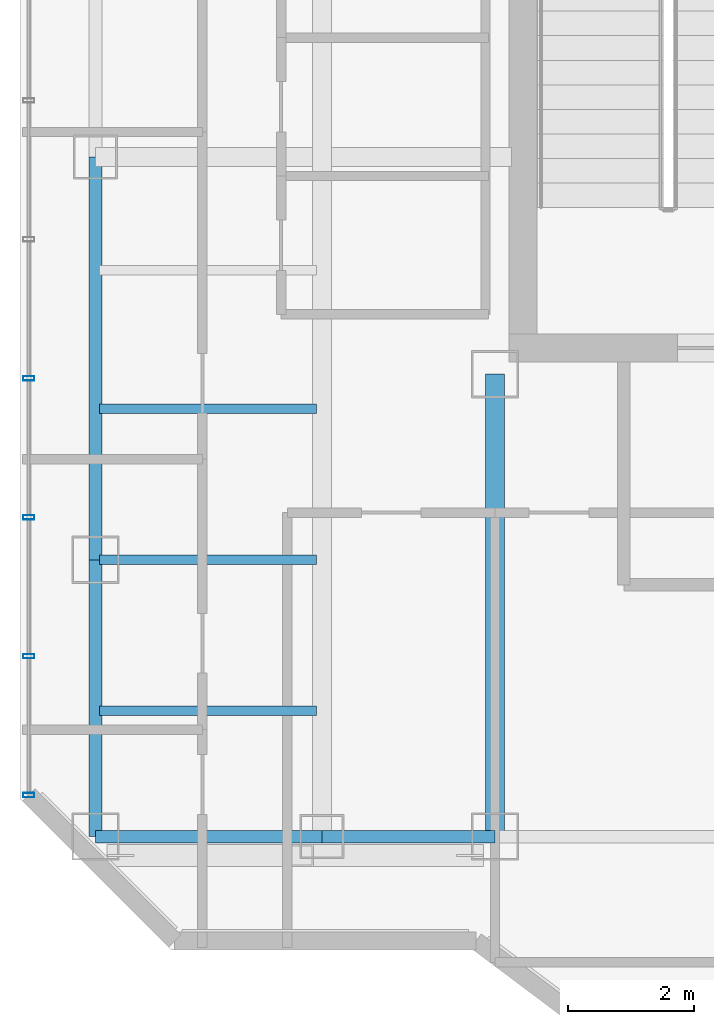
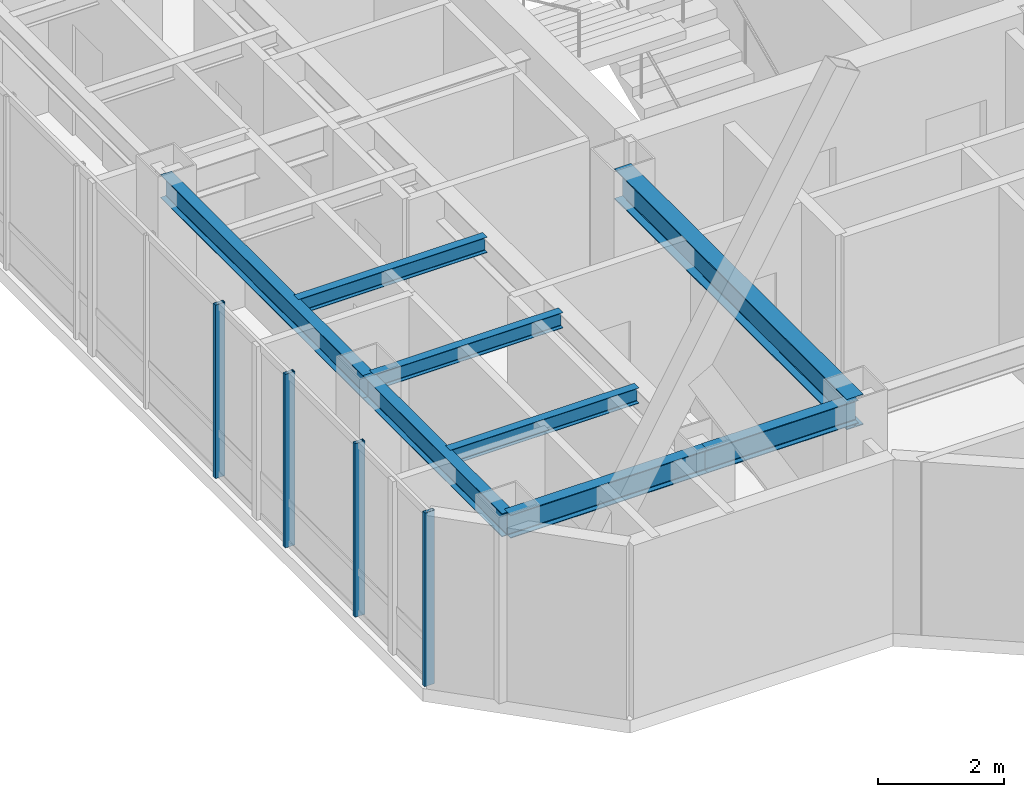
# One storey, part 4 of 24: 8 beams, 4 members, 1 element without a shape of its own.
"""IFC4 building model written with IfcOpenShell, lengths in metres."""

from ifc_helpers import new_model, si_unit, direction, frame, origin, origin_2d, place, context, subcontext, project, spatial, hollow_rectangle, i_section, extrude, material, layer, layer_set, material_profile, profile_set, type_object, element, aggregate, save


model = new_model("IFC4")

# Units and contexts
model_context = context("Model", 3, precision=1e-05, world=origin(), true_north=direction((0.0, 1.0)))
body_context = subcontext(model_context, "Body", "Model", "MODEL_VIEW")
ifc_project = project(units=[si_unit("LENGTHUNIT", "METRE"), si_unit("AREAUNIT", "SQUARE_METRE"), si_unit("VOLUMEUNIT", "CUBIC_METRE"), si_unit("PLANEANGLEUNIT", "RADIAN"), si_unit("MASSUNIT", "GRAM", prefix="KILO")], contexts=[model_context])

# Site, building, storey
site_placement = place(None, origin())
site = spatial("IfcSite", under=ifc_project, at=site_placement, CompositionType="ELEMENT")
building_placement = place(site_placement, origin())
building = spatial("IfcBuilding", under=site, at=building_placement, Name="Hatsunagi Terrace Concourse", CompositionType="ELEMENT")
storey_placement = place(building_placement, frame((0.0, 0.0, 213.14990234375)))
storey = spatial("IfcBuildingStorey", under=building, at=storey_placement, Name="L56", CompositionType="ELEMENT", Elevation=213.14990234375)

# Curtain wall, members
ifc_material_1 = material(Name="Anodised Aluminium Alloy 6063-T5", Category="aluminium")
ifc_layer = layer(ifc_material_1, 0.199951171875)
ifc_layer_set = layer_set([ifc_layer], Name="OfficeZone2_CW04")
curtain_wall_type = type_object("IfcCurtainWallType", Name="OfficeZone2_CW04", PredefinedType="NOTDEFINED", material=ifc_layer_set)
curtain_wall_placement = place(storey_placement, origin())
curtain_wall = element("IfcCurtainWall", 1, at=curtain_wall_placement, inside=storey, type_object=curtain_wall_type, Name="Unitised Curtain Wall CW-04 CW-L56-08", PredefinedType="NOTDEFINED")
ifc_material_2 = material(Name="Anodised Aluminium Alloy 6063-T5", Category="aluminium")
ifc_material_profile_1 = material_profile(ifc_material_2, hollow_rectangle(XDim=0.070068359375, YDim=0.179931640625, WallThickness=0.00390625, at=origin_2d()), Name="ALU-MUL-180x70x4")
ifc_profile_set_1 = profile_set([ifc_material_profile_1], Name="Anodised Aluminium Alloy 6063-T5")
member_type = type_object("IfcMemberType", Name="CurtainWallMullion_180x70", PredefinedType="MULLION", material=ifc_profile_set_1)
member_1_placement = place(storey_placement, frame((18.139892578125, 25.85791015625, 0.0), z_axis=(0.0, 0.0, 1.0), x_axis=(0.0, 1.0, 0.0)))
member_1 = element("IfcMember", 2, at=member_1_placement, type_object=member_type, Name="Curtain Wall Mullion MUL-02", PredefinedType="MULLION", context=body_context, shape_type="SweptSolid", body=[
    extrude(hollow_rectangle(XDim=0.070068359375, YDim=0.179931640625, WallThickness=0.00390625, at=origin_2d()), origin(), (0.0, 0.0, 1.0), 3.35009765625),
])
member_2_placement = place(storey_placement, frame((18.139892578125, 28.06591796875, 0.0), z_axis=(0.0, 0.0, 1.0), x_axis=(0.0, 1.0, 0.0)))
member_2 = element("IfcMember", 3, at=member_2_placement, type_object=member_type, Name="Curtain Wall Mullion MUL-02", PredefinedType="MULLION", context=body_context, shape_type="SweptSolid", body=[
    extrude(hollow_rectangle(XDim=0.070068359375, YDim=0.179931640625, WallThickness=0.00390625, at=origin_2d()), origin(), (0.0, 0.0, 1.0), 3.35009765625),
])
member_3_placement = place(storey_placement, frame((18.139892578125, 30.27490234375, 0.0), z_axis=(0.0, 0.0, 1.0), x_axis=(0.0, 1.0, 0.0)))
member_3 = element("IfcMember", 4, at=member_3_placement, type_object=member_type, Name="Curtain Wall Mullion MUL-02", PredefinedType="MULLION", context=body_context, shape_type="SweptSolid", body=[
    extrude(hollow_rectangle(XDim=0.070068359375, YDim=0.179931640625, WallThickness=0.00390625, at=origin_2d()), origin(), (0.0, 0.0, 1.0), 3.35009765625),
])
member_4_placement = place(storey_placement, frame((18.139892578125, 32.48291015625, 0.0), z_axis=(0.0, 0.0, 1.0), x_axis=(0.0, 1.0, 0.0)))
member_4 = element("IfcMember", 5, at=member_4_placement, type_object=member_type, Name="Curtain Wall Mullion MUL-02", PredefinedType="MULLION", context=body_context, shape_type="SweptSolid", body=[
    extrude(hollow_rectangle(XDim=0.070068359375, YDim=0.179931640625, WallThickness=0.00390625, at=origin_2d()), origin(), (0.0, 0.0, 1.0), 3.35009765625),
])
aggregate(curtain_wall, [member_1, member_2, member_3, member_4])

# Beams
ifc_material_3 = material(Name="Steel SN490B", Category="steel")
ifc_material_profile_2 = material_profile(ifc_material_3, i_section(OverallWidth=0.300048828125, OverallDepth=0.587890625, WebThickness=0.011962890625, FlangeThickness=0.02001953125, FilletRadius=0.01806640625, at=origin_2d()), Name="H-588x300x12x20")
ifc_profile_set_2 = profile_set([ifc_material_profile_2], Name="Steel SN490B")
beam_type_1 = type_object("IfcBeamType", Name="OfficeHighGirder_H_588x300", PredefinedType="BEAM", material=ifc_profile_set_2)
beam_1_placement = place(storey_placement, frame((25.550048828125, 25.199951171875, 3.05615234375), z_axis=(0.0, 1.0, 0.0), x_axis=(-1.0, 0.0, 0.0)))
element("IfcBeam", 6, at=beam_1_placement, inside=storey, type_object=beam_type_1, Name="Beam G-06 BM-L56-K1CA", PredefinedType="BEAM", context=body_context, shape_type="SweptSolid", body=[
    extrude(i_section(OverallWidth=0.300048828125, OverallDepth=0.587890625, WebThickness=0.011962890625, FlangeThickness=0.02001953125, FilletRadius=0.01806640625, at=origin_2d()), origin(), (0.0, 0.0, 1.0), 7.35009765625),
])
ifc_material_4 = material(Name="Steel SN490B", Category="steel")
ifc_material_profile_3 = material_profile(ifc_material_4, i_section(OverallWidth=0.14990234375, OverallDepth=0.300048828125, WebThickness=0.006591796875, FlangeThickness=0.009033203125, FilletRadius=0.010986328125, at=origin_2d()), Name="H-300x150x6.5x9")
ifc_profile_set_3 = profile_set([ifc_material_profile_3], Name="Steel SN490B")
beam_type_2 = type_object("IfcBeamType", Name="OfficeJoist_H_300x150", PredefinedType="JOIST", material=ifc_profile_set_3)
for number, where, z_axis, x_axis, name in (
    (7, (19.264892578125, 27.199951171875, 3.2001953125), (1.0, 0.0, 0.0), (0.0, 1.0, 0.0), "Beam J-03 J-L56-W-19-272"),
    (8, (19.264892578125, 29.60009765625, 3.2001953125), (1.0, 0.0, 0.0), (0.0, 1.0, 0.0), "Beam J-03 J-L56-W-19-296"),
    (9, (19.264892578125, 32.0, 3.2001953125), (1.0, 0.0, 0.0), (0.0, 1.0, 0.0), "Beam J-03 J-L56-W-19-320"),
):
    element("IfcBeam", number, at=place(storey_placement, frame(where, z_axis=z_axis, x_axis=x_axis)), inside=storey, type_object=beam_type_2, Name=name, PredefinedType="JOIST", context=body_context, shape_type="SweptSolid", body=[
        extrude(i_section(OverallWidth=0.14990234375, OverallDepth=0.300048828125, WebThickness=0.006591796875, FlangeThickness=0.009033203125, FilletRadius=0.010986328125, at=origin_2d()), origin(), (0.0, 0.0, 1.0), 3.4501953125),
    ])
ifc_material_5 = material(Name="Steel SN490B", Category="steel")
ifc_material_profile_4 = material_profile(ifc_material_5, i_section(OverallWidth=0.199951171875, OverallDepth=0.449951171875, WebThickness=0.009033203125, FlangeThickness=0.013916015625, FilletRadius=0.01611328125, at=origin_2d()), Name="H-450x200x9x14")
ifc_profile_set_4 = profile_set([ifc_material_profile_4], Name="Steel SN490B")
beam_type_3 = type_object("IfcBeamType", Name="PerimeterSpandrel_H_450x200", PredefinedType="SPANDREL", material=ifc_profile_set_4)
beam_2_placement = place(storey_placement, frame((19.199951171875, 25.199951171875, 3.125), z_axis=(1.0, 0.0, 0.0), x_axis=(0.0, 1.0, 0.0)))
element("IfcBeam", 10, at=beam_2_placement, inside=storey, type_object=beam_type_3, Name="Beam SP-02 BM-L56-WS-19", PredefinedType="SPANDREL", context=body_context, shape_type="SweptSolid", body=[
    extrude(i_section(OverallWidth=0.199951171875, OverallDepth=0.449951171875, WebThickness=0.009033203125, FlangeThickness=0.013916015625, FilletRadius=0.01611328125, at=origin_2d()), origin(), (0.0, 0.0, 1.0), 3.60009765625),
])
beam_3_placement = place(storey_placement, frame((22.800048828125, 25.199951171875, 3.125), z_axis=(1.0, 0.0, 0.0), x_axis=(0.0, 1.0, 0.0)))
element("IfcBeam", 11, at=beam_3_placement, inside=storey, type_object=beam_type_3, Name="Beam SP-02 BM-L56-WS-22", PredefinedType="SPANDREL", context=body_context, shape_type="SweptSolid", body=[
    extrude(i_section(OverallWidth=0.199951171875, OverallDepth=0.449951171875, WebThickness=0.009033203125, FlangeThickness=0.013916015625, FilletRadius=0.01611328125, at=origin_2d()), origin(), (0.0, 0.0, 1.0), 2.75),
])
beam_4_placement = place(storey_placement, frame((19.199951171875, 25.199951171875, 3.125), z_axis=(0.0, 1.0, 0.0), x_axis=(-1.0, 0.0, 0.0)))
element("IfcBeam", 12, at=beam_4_placement, inside=storey, type_object=beam_type_3, Name="Beam SP-02 BM-L56-NS-19-25", PredefinedType="SPANDREL", context=body_context, shape_type="SweptSolid", body=[
    extrude(i_section(OverallWidth=0.199951171875, OverallDepth=0.449951171875, WebThickness=0.009033203125, FlangeThickness=0.013916015625, FilletRadius=0.01611328125, at=origin_2d()), origin(), (0.0, 0.0, 1.0), 4.400146484375),
])
beam_5_placement = place(storey_placement, frame((19.199951171875, 29.60009765625, 3.125), z_axis=(0.0, 1.0, 0.0), x_axis=(-1.0, 0.0, 0.0)))
element("IfcBeam", 13, at=beam_5_placement, inside=storey, type_object=beam_type_3, Name="Beam SP-02 BM-L56-NS-19-29", PredefinedType="SPANDREL", context=body_context, shape_type="SweptSolid", body=[
    extrude(i_section(OverallWidth=0.199951171875, OverallDepth=0.449951171875, WebThickness=0.009033203125, FlangeThickness=0.013916015625, FilletRadius=0.01611328125, at=origin_2d()), origin(), (0.0, 0.0, 1.0), 6.39990234375),
])

save(model, "model.ifc")
